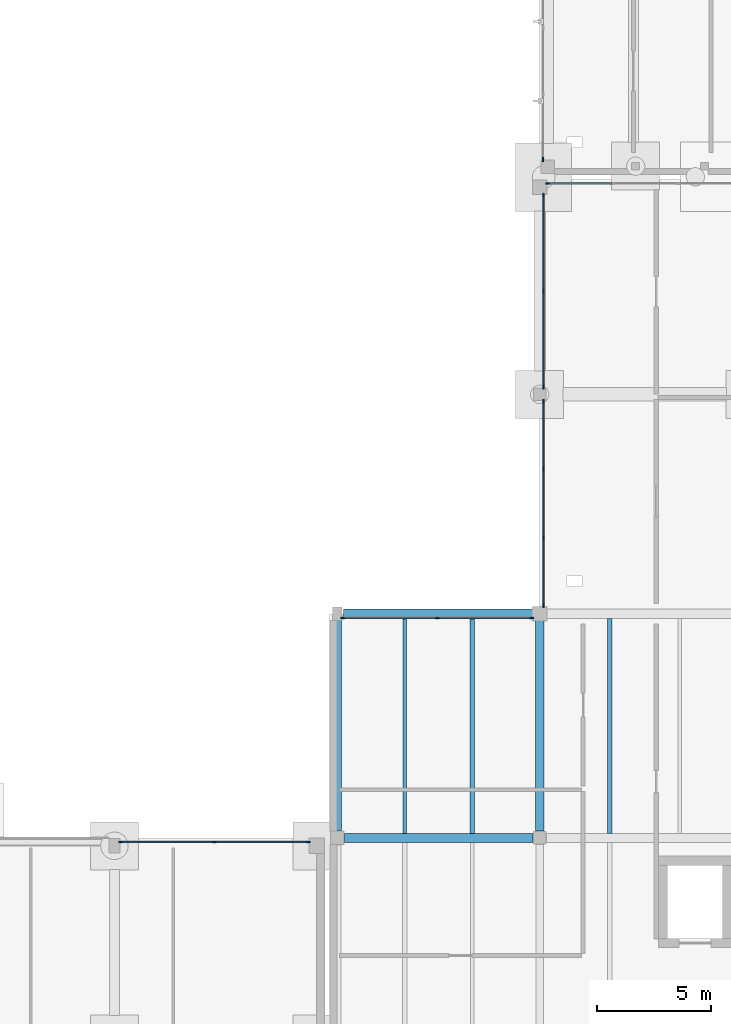
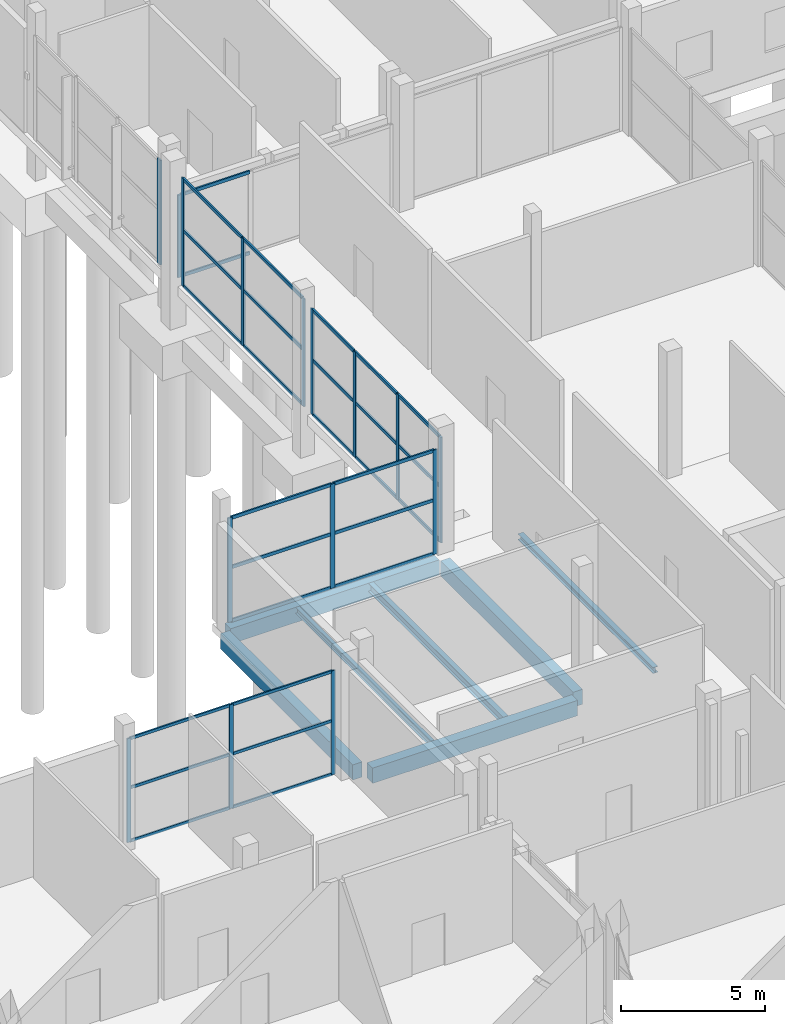
# One storey, part 31 of 88: 44 members, 7 beams, 6 elements without a shape of their own.
"""IFC4 building model written with IfcOpenShell, lengths in metres."""

from ifc_helpers import new_model, si_unit, direction, frame, origin, origin_2d, place, context, subcontext, project, spatial, rectangle, i_section, extrude, material, layer, layer_set, material_profile, profile_set, type_object, element, aggregate, save


model = new_model("IFC4")

# Units and contexts
model_context = context("Model", 3, precision=1e-05, world=origin(), true_north=direction((0.0, 1.0)))
body_context = subcontext(model_context, "Body", "Model", "MODEL_VIEW")
ifc_project = project(units=[si_unit("LENGTHUNIT", "METRE"), si_unit("AREAUNIT", "SQUARE_METRE"), si_unit("VOLUMEUNIT", "CUBIC_METRE"), si_unit("PLANEANGLEUNIT", "RADIAN"), si_unit("MASSUNIT", "GRAM", prefix="KILO")], contexts=[model_context])

# Site, building, storey
site_placement = place(None, origin())
site = spatial("IfcSite", under=ifc_project, at=site_placement, CompositionType="ELEMENT")
building_placement = place(site_placement, origin())
building = spatial("IfcBuilding", under=site, at=building_placement, Name="Birchvale Park Specialist Clinic", CompositionType="ELEMENT")
storey_placement = place(building_placement, origin())
storey = spatial("IfcBuildingStorey", under=building, at=storey_placement, Name="L00", CompositionType="ELEMENT", Elevation=0.0)

# Beams
ifc_material_1 = material(Name="Concrete C40/50", Category="concrete")
ifc_material_profile_1 = material_profile(ifc_material_1, rectangle(XDim=0.3798828125, YDim=0.639892578125, at=origin_2d()), Name="RCB-380x640")
ifc_profile_set_1 = profile_set([ifc_material_profile_1], Name="Concrete C40/50")
beam_type_1 = type_object("IfcBeamType", Name="BM-EXT-BG5", PredefinedType="BEAM", material=ifc_profile_set_1)
beam_1_placement = place(storey_placement, frame((119.14990234375, 34.9150390625, -0.6201171875), z_axis=(0.0, 1.0, 0.0), x_axis=(-1.0, 0.0, 0.0)))
element("IfcBeam", 1, at=beam_1_placement, inside=storey, type_object=beam_type_1, Name="V5 L00 Y girder 23", PredefinedType="BEAM", context=body_context, shape_type="SweptSolid", body=[
    extrude(rectangle(XDim=0.3798828125, YDim=0.639892578125, at=origin_2d()), origin(), (0.0, 0.0, 1.0), 9.219970703125),
])
beam_2_placement = place(storey_placement, frame((128.0, 34.89990234375, -0.6201171875), z_axis=(0.0, 1.0, 0.0), x_axis=(-1.0, 0.0, 0.0)))
element("IfcBeam", 2, at=beam_2_placement, inside=storey, type_object=beam_type_1, Name="V5 L00 Y girder 26", PredefinedType="BEAM", context=body_context, shape_type="SweptSolid", body=[
    extrude(rectangle(XDim=0.3798828125, YDim=0.639892578125, at=origin_2d()), origin(), (0.0, 0.0, 1.0), 9.22509765625),
])
ifc_material_profile_2 = material_profile(ifc_material_1, rectangle(XDim=0.39990234375, YDim=0.64990234375, at=origin_2d()), Name="RCB-400x650")
ifc_profile_set_2 = profile_set([ifc_material_profile_2], Name="Concrete C40/50")
beam_type_2 = type_object("IfcBeamType", Name="BM-INT-BG4", PredefinedType="BEAM", material=ifc_profile_set_2)
beam_3_placement = place(storey_placement, frame((119.465087890625, 34.60009765625, -0.625), z_axis=(1.0, 0.0, 0.0), x_axis=(0.0, 1.0, 0.0)))
element("IfcBeam", 3, at=beam_3_placement, inside=storey, type_object=beam_type_2, Name="V5 L00 X girder 11", PredefinedType="BEAM", context=body_context, shape_type="SweptSolid", body=[
    extrude(rectangle(XDim=0.39990234375, YDim=0.64990234375, at=origin_2d()), origin(), (0.0, 0.0, 1.0), 8.23486328125),
])
beam_4_placement = place(storey_placement, frame((119.4150390625, 44.39990234375, -0.625), z_axis=(1.0, 0.0, 0.0), x_axis=(0.0, 1.0, 0.0)))
element("IfcBeam", 4, at=beam_4_placement, inside=storey, type_object=beam_type_2, Name="V5 L00 X girder 16", PredefinedType="BEAM", context=body_context, shape_type="SweptSolid", body=[
    extrude(rectangle(XDim=0.39990234375, YDim=0.64990234375, at=origin_2d()), origin(), (0.0, 0.0, 1.0), 8.385009765625),
])

# Curtain wall, members
ifc_material_2 = material(Name="Thermally broken anodised aluminium", Category="aluminium")
ifc_layer_1 = layer(ifc_material_2, 0.179931640625)
ifc_layer_set_1 = layer_set([ifc_layer_1], Name="Thermally broken anodised aluminium")
curtain_wall_type_1 = type_object("IfcCurtainWallType", Name="CW-U1", PredefinedType="USERDEFINED", material=ifc_layer_set_1)
curtain_wall_1_placement = place(storey_placement, origin())
curtain_wall_1 = element("IfcCurtainWall", 5, at=curtain_wall_1_placement, inside=storey, type_object=curtain_wall_type_1, Name="V4 L00 glazed curtain wall 44", ObjectType="UNITISED", PredefinedType="USERDEFINED")
ifc_material_profile_3 = material_profile(ifc_material_2, rectangle(XDim=0.06005859375, YDim=0.159912109375, at=origin_2d()), Name="CWM-60x160")
ifc_profile_set_3 = profile_set([ifc_material_profile_3], Name="Thermally broken anodised aluminium")
member_type_1 = type_object("IfcMemberType", Name="CWM1", PredefinedType="MULLION", material=ifc_profile_set_3)
member_1_placement = place(storey_placement, frame((117.8798828125, 34.409912109375, 0.0), z_axis=(0.0, 0.0, 1.0), x_axis=(0.0, -1.0, 0.0)))
member_1 = element("IfcMember", 6, at=member_1_placement, type_object=member_type_1, Name="CW mullion 1", PredefinedType="MULLION", context=body_context, shape_type="SweptSolid", body=[
    extrude(rectangle(XDim=0.06005859375, YDim=0.159912109375, at=origin_2d()), origin(), (0.0, 0.0, 1.0), 4.4150390625),
])
member_2_placement = place(storey_placement, frame((113.7724609375, 34.409912109375, 0.0), z_axis=(0.0, 0.0, 1.0), x_axis=(0.0, -1.0, 0.0)))
member_2 = element("IfcMember", 7, at=member_2_placement, type_object=member_type_1, Name="CW mullion 2", PredefinedType="MULLION", context=body_context, shape_type="SweptSolid", body=[
    extrude(rectangle(XDim=0.06005859375, YDim=0.159912109375, at=origin_2d()), origin(), (0.0, 0.0, 1.0), 4.4150390625),
])
member_3_placement = place(storey_placement, frame((109.6650390625, 34.409912109375, 0.0), z_axis=(0.0, 0.0, 1.0), x_axis=(0.0, -1.0, 0.0)))
member_3 = element("IfcMember", 8, at=member_3_placement, type_object=member_type_1, Name="CW mullion 3", PredefinedType="MULLION", context=body_context, shape_type="SweptSolid", body=[
    extrude(rectangle(XDim=0.06005859375, YDim=0.159912109375, at=origin_2d()), origin(), (0.0, 0.0, 1.0), 4.4150390625),
])

ifc_layer_2 = layer(ifc_material_2, 0.195068359375)
ifc_layer_set_2 = layer_set([ifc_layer_2], Name="Thermally broken anodised aluminium")
curtain_wall_type_2 = type_object("IfcCurtainWallType", Name="CW-U2", PredefinedType="USERDEFINED", material=ifc_layer_set_2)
curtain_wall_2_placement = place(storey_placement, origin())
curtain_wall_2 = element("IfcCurtainWall", 9, at=curtain_wall_2_placement, inside=storey, type_object=curtain_wall_type_2, Name="V5 L00 glazed curtain wall 51", ObjectType="UNITISED", PredefinedType="USERDEFINED")
ifc_material_profile_4 = material_profile(ifc_material_2, rectangle(XDim=0.06494140625, YDim=0.179931640625, at=origin_2d()), Name="CWM-65x180")
ifc_profile_set_4 = profile_set([ifc_material_profile_4], Name="Thermally broken anodised aluminium")
member_type_2 = type_object("IfcMemberType", Name="CWM2", PredefinedType="MULLION", material=ifc_profile_set_4)
member_4_placement = place(storey_placement, frame((127.642578125, 44.22509765625, 0.0), z_axis=(0.0, 0.0, 1.0), x_axis=(0.0, -1.0, 0.0)))
member_4 = element("IfcMember", 10, at=member_4_placement, type_object=member_type_2, Name="CW mullion 1", PredefinedType="MULLION", context=body_context, shape_type="SweptSolid", body=[
    extrude(rectangle(XDim=0.06494140625, YDim=0.179931640625, at=origin_2d()), origin(), (0.0, 0.0, 1.0), 4.43505859375),
])
member_5_placement = place(storey_placement, frame((123.517578125, 44.22509765625, 0.0), z_axis=(0.0, 0.0, 1.0), x_axis=(0.0, -1.0, 0.0)))
member_5 = element("IfcMember", 11, at=member_5_placement, type_object=member_type_2, Name="CW mullion 2", PredefinedType="MULLION", context=body_context, shape_type="SweptSolid", body=[
    extrude(rectangle(XDim=0.06494140625, YDim=0.179931640625, at=origin_2d()), origin(), (0.0, 0.0, 1.0), 4.43505859375),
])
member_6_placement = place(storey_placement, frame((119.392578125, 44.22509765625, 0.0), z_axis=(0.0, 0.0, 1.0), x_axis=(0.0, -1.0, 0.0)))
member_6 = element("IfcMember", 12, at=member_6_placement, type_object=member_type_2, Name="CW mullion 3", PredefinedType="MULLION", context=body_context, shape_type="SweptSolid", body=[
    extrude(rectangle(XDim=0.06494140625, YDim=0.179931640625, at=origin_2d()), origin(), (0.0, 0.0, 1.0), 4.43505859375),
])

# Curtain wall, member
curtain_wall_3_placement = place(storey_placement, origin())
curtain_wall_3 = element("IfcCurtainWall", 13, at=curtain_wall_3_placement, inside=storey, type_object=curtain_wall_type_2, Name="V5 L00 glazed curtain wall 58", ObjectType="UNITISED", PredefinedType="USERDEFINED")
member_7_placement = place(storey_placement, frame((128.347412109375, 63.22509765625, 0.0), z_axis=(0.0, 0.0, 1.0), x_axis=(0.0, -1.0, 0.0)))
member_7 = element("IfcMember", 14, at=member_7_placement, type_object=member_type_2, Name="CW mullion 4", PredefinedType="MULLION", context=body_context, shape_type="SweptSolid", body=[
    extrude(rectangle(XDim=0.06494140625, YDim=0.179931640625, at=origin_2d()), origin(), (0.0, 0.0, 1.0), 3.508056640625),
])

# Curtain wall, members
curtain_wall_4_placement = place(storey_placement, origin())
curtain_wall_4 = element("IfcCurtainWall", 15, at=curtain_wall_4_placement, inside=storey, type_object=curtain_wall_type_2, Name="V5 L00 glazed curtain wall 59", ObjectType="UNITISED", PredefinedType="USERDEFINED")
member_8_placement = place(storey_placement, frame((128.175048828125, 62.702392578125, 0.0), z_axis=(0.0, 0.0, 1.0), x_axis=(1.0, 0.0, 0.0)))
member_8 = element("IfcMember", 16, at=member_8_placement, type_object=member_type_2, Name="CW mullion 1", PredefinedType="MULLION", context=body_context, shape_type="SweptSolid", body=[
    extrude(rectangle(XDim=0.06494140625, YDim=0.179931640625, at=origin_2d()), origin(), (0.0, 0.0, 1.0), 4.5849609375),
])
member_9_placement = place(storey_placement, frame((128.175048828125, 58.5048828125, 0.0), z_axis=(0.0, 0.0, 1.0), x_axis=(1.0, 0.0, 0.0)))
member_9 = element("IfcMember", 17, at=member_9_placement, type_object=member_type_2, Name="CW mullion 2", PredefinedType="MULLION", context=body_context, shape_type="SweptSolid", body=[
    extrude(rectangle(XDim=0.06494140625, YDim=0.179931640625, at=origin_2d()), origin(), (0.0, 0.0, 1.0), 4.5849609375),
])
member_10_placement = place(storey_placement, frame((128.175048828125, 54.3076171875, 0.0), z_axis=(0.0, 0.0, 1.0), x_axis=(1.0, 0.0, 0.0)))
member_10 = element("IfcMember", 18, at=member_10_placement, type_object=member_type_2, Name="CW mullion 3", PredefinedType="MULLION", context=body_context, shape_type="SweptSolid", body=[
    extrude(rectangle(XDim=0.06494140625, YDim=0.179931640625, at=origin_2d()), origin(), (0.0, 0.0, 1.0), 4.5849609375),
])

curtain_wall_5_placement = place(storey_placement, origin())
curtain_wall_5 = element("IfcCurtainWall", 19, at=curtain_wall_5_placement, inside=storey, type_object=curtain_wall_type_2, Name="V5 L00 glazed curtain wall 60", ObjectType="UNITISED", PredefinedType="USERDEFINED")
member_11_placement = place(storey_placement, frame((128.175048828125, 53.6923828125, 0.0), z_axis=(0.0, 0.0, 1.0), x_axis=(1.0, 0.0, 0.0)))
member_11 = element("IfcMember", 20, at=member_11_placement, type_object=member_type_2, Name="CW mullion 1", PredefinedType="MULLION", context=body_context, shape_type="SweptSolid", body=[
    extrude(rectangle(XDim=0.06494140625, YDim=0.179931640625, at=origin_2d()), origin(), (0.0, 0.0, 1.0), 4.485107421875),
])
member_12_placement = place(storey_placement, frame((128.175048828125, 50.72509765625, 0.0), z_axis=(0.0, 0.0, 1.0), x_axis=(1.0, 0.0, 0.0)))
member_12 = element("IfcMember", 21, at=member_12_placement, type_object=member_type_2, Name="CW mullion 2", PredefinedType="MULLION", context=body_context, shape_type="SweptSolid", body=[
    extrude(rectangle(XDim=0.06494140625, YDim=0.179931640625, at=origin_2d()), origin(), (0.0, 0.0, 1.0), 4.485107421875),
])
member_13_placement = place(storey_placement, frame((128.175048828125, 47.72509765625, 0.0), z_axis=(0.0, 0.0, 1.0), x_axis=(1.0, 0.0, 0.0)))
member_13 = element("IfcMember", 22, at=member_13_placement, type_object=member_type_2, Name="CW mullion 3", PredefinedType="MULLION", context=body_context, shape_type="SweptSolid", body=[
    extrude(rectangle(XDim=0.06494140625, YDim=0.179931640625, at=origin_2d()), origin(), (0.0, 0.0, 1.0), 4.485107421875),
])
member_14_placement = place(storey_placement, frame((128.175048828125, 44.757568359375, 0.0), z_axis=(0.0, 0.0, 1.0), x_axis=(1.0, 0.0, 0.0)))
member_14 = element("IfcMember", 23, at=member_14_placement, type_object=member_type_2, Name="CW mullion 4", PredefinedType="MULLION", context=body_context, shape_type="SweptSolid", body=[
    extrude(rectangle(XDim=0.06494140625, YDim=0.179931640625, at=origin_2d()), origin(), (0.0, 0.0, 1.0), 4.485107421875),
])

# Curtain wall, member
ifc_layer_3 = layer(ifc_material_2, 0.2099609375)
ifc_layer_set_3 = layer_set([ifc_layer_3], Name="Thermally broken anodised aluminium")
curtain_wall_type_3 = type_object("IfcCurtainWallType", Name="CW-U3", PredefinedType="USERDEFINED", material=ifc_layer_set_3)
curtain_wall_6_placement = place(storey_placement, origin())
curtain_wall_6 = element("IfcCurtainWall", 24, at=curtain_wall_6_placement, inside=storey, type_object=curtain_wall_type_3, Name="V6 L00 glazed curtain wall 67", ObjectType="UNITISED", PredefinedType="USERDEFINED")
ifc_material_profile_5 = material_profile(ifc_material_2, rectangle(XDim=0.070068359375, YDim=0.199951171875, at=origin_2d()), Name="CWM-70x200")
ifc_profile_set_5 = profile_set([ifc_material_profile_5], Name="Thermally broken anodised aluminium")
member_type_3 = type_object("IfcMemberType", Name="CWM3", PredefinedType="MULLION", material=ifc_profile_set_5)
member_15_placement = place(storey_placement, frame((128.14501953125, 64.27490234375, 0.0), z_axis=(0.0, 0.0, 1.0), x_axis=(1.0, 0.0, 0.0)))
member_15 = element("IfcMember", 25, at=member_15_placement, type_object=member_type_3, Name="CW mullion 4", PredefinedType="MULLION", context=body_context, shape_type="SweptSolid", body=[
    extrude(rectangle(XDim=0.070068359375, YDim=0.199951171875, at=origin_2d()), origin(), (0.0, 0.0, 1.0), 4.445068359375),
])
aggregate(curtain_wall_6, [member_15])

# Member
ifc_material_profile_6 = material_profile(ifc_material_2, rectangle(XDim=0.06005859375, YDim=0.1201171875, at=origin_2d()), Name="CWT-60x120")
ifc_profile_set_6 = profile_set([ifc_material_profile_6], Name="Thermally broken anodised aluminium")
member_type_4 = type_object("IfcMemberType", Name="CWT1", PredefinedType="USERDEFINED", material=ifc_profile_set_6)
member_16_placement = place(storey_placement, frame((117.85009765625, 34.409912109375, 0.030029296875), z_axis=(-1.0, 0.0, 0.0), x_axis=(0.0, -1.0, 0.0)))
member_16 = element("IfcMember", 26, at=member_16_placement, type_object=member_type_4, Name="CW transom 1.1", ObjectType="TRANSOM", PredefinedType="USERDEFINED", context=body_context, shape_type="SweptSolid", body=[
    extrude(rectangle(XDim=0.06005859375, YDim=0.1201171875, at=origin_2d()), origin(), (0.0, 0.0, 1.0), 4.047607421875),
])

member_17_placement = place(storey_placement, frame((117.85009765625, 34.409912109375, 2.2958984375), z_axis=(-1.0, 0.0, 0.0), x_axis=(0.0, -1.0, 0.0)))
member_17 = element("IfcMember", 27, at=member_17_placement, type_object=member_type_4, Name="CW transom 1.2", ObjectType="TRANSOM", PredefinedType="USERDEFINED", context=body_context, shape_type="SweptSolid", body=[
    extrude(rectangle(XDim=0.06005859375, YDim=0.1201171875, at=origin_2d()), origin(), (0.0, 0.0, 1.0), 4.047607421875),
])

member_18_placement = place(storey_placement, frame((117.85009765625, 34.409912109375, 4.385009765625), z_axis=(-1.0, 0.0, 0.0), x_axis=(0.0, -1.0, 0.0)))
member_18 = element("IfcMember", 28, at=member_18_placement, type_object=member_type_4, Name="CW transom 1.3", ObjectType="TRANSOM", PredefinedType="USERDEFINED", context=body_context, shape_type="SweptSolid", body=[
    extrude(rectangle(XDim=0.06005859375, YDim=0.1201171875, at=origin_2d()), origin(), (0.0, 0.0, 1.0), 4.047607421875),
])

member_19_placement = place(storey_placement, frame((113.742431640625, 34.409912109375, 0.030029296875), z_axis=(-1.0, 0.0, 0.0), x_axis=(0.0, -1.0, 0.0)))
member_19 = element("IfcMember", 29, at=member_19_placement, type_object=member_type_4, Name="CW transom 2.1", ObjectType="TRANSOM", PredefinedType="USERDEFINED", context=body_context, shape_type="SweptSolid", body=[
    extrude(rectangle(XDim=0.06005859375, YDim=0.1201171875, at=origin_2d()), origin(), (0.0, 0.0, 1.0), 4.04736328125),
])

member_20_placement = place(storey_placement, frame((113.742431640625, 34.409912109375, 2.2958984375), z_axis=(-1.0, 0.0, 0.0), x_axis=(0.0, -1.0, 0.0)))
member_20 = element("IfcMember", 30, at=member_20_placement, type_object=member_type_4, Name="CW transom 2.2", ObjectType="TRANSOM", PredefinedType="USERDEFINED", context=body_context, shape_type="SweptSolid", body=[
    extrude(rectangle(XDim=0.06005859375, YDim=0.1201171875, at=origin_2d()), origin(), (0.0, 0.0, 1.0), 4.04736328125),
])

member_21_placement = place(storey_placement, frame((113.742431640625, 34.409912109375, 4.385009765625), z_axis=(-1.0, 0.0, 0.0), x_axis=(0.0, -1.0, 0.0)))
member_21 = element("IfcMember", 31, at=member_21_placement, type_object=member_type_4, Name="CW transom 2.3", ObjectType="TRANSOM", PredefinedType="USERDEFINED", context=body_context, shape_type="SweptSolid", body=[
    extrude(rectangle(XDim=0.06005859375, YDim=0.1201171875, at=origin_2d()), origin(), (0.0, 0.0, 1.0), 4.04736328125),
])

aggregate(curtain_wall_1, [member_1, member_2, member_3, member_16, member_17, member_18, member_19, member_20, member_21])

ifc_material_profile_7 = material_profile(ifc_material_2, rectangle(XDim=0.06494140625, YDim=0.139892578125, at=origin_2d()), Name="CWT-65x140")
ifc_profile_set_7 = profile_set([ifc_material_profile_7], Name="Thermally broken anodised aluminium")
member_type_5 = type_object("IfcMemberType", Name="CWT2", PredefinedType="USERDEFINED", material=ifc_profile_set_7)
member_22_placement = place(storey_placement, frame((127.610107421875, 44.22509765625, 0.032470703125), z_axis=(-1.0, 0.0, 0.0), x_axis=(0.0, -1.0, 0.0)))
member_22 = element("IfcMember", 32, at=member_22_placement, type_object=member_type_5, Name="CW transom 1.1", ObjectType="TRANSOM", PredefinedType="USERDEFINED", context=body_context, shape_type="SweptSolid", body=[
    extrude(rectangle(XDim=0.06494140625, YDim=0.139892578125, at=origin_2d()), origin(), (0.0, 0.0, 1.0), 4.06005859375),
])

member_23_placement = place(storey_placement, frame((127.610107421875, 44.22509765625, 2.30615234375), z_axis=(-1.0, 0.0, 0.0), x_axis=(0.0, -1.0, 0.0)))
member_23 = element("IfcMember", 33, at=member_23_placement, type_object=member_type_5, Name="CW transom 1.2", ObjectType="TRANSOM", PredefinedType="USERDEFINED", context=body_context, shape_type="SweptSolid", body=[
    extrude(rectangle(XDim=0.06494140625, YDim=0.139892578125, at=origin_2d()), origin(), (0.0, 0.0, 1.0), 4.06005859375),
])

member_24_placement = place(storey_placement, frame((127.610107421875, 44.22509765625, 4.402587890625), z_axis=(-1.0, 0.0, 0.0), x_axis=(0.0, -1.0, 0.0)))
member_24 = element("IfcMember", 34, at=member_24_placement, type_object=member_type_5, Name="CW transom 1.3", ObjectType="TRANSOM", PredefinedType="USERDEFINED", context=body_context, shape_type="SweptSolid", body=[
    extrude(rectangle(XDim=0.06494140625, YDim=0.139892578125, at=origin_2d()), origin(), (0.0, 0.0, 1.0), 4.06005859375),
])

member_25_placement = place(storey_placement, frame((123.485107421875, 44.22509765625, 0.032470703125), z_axis=(-1.0, 0.0, 0.0), x_axis=(0.0, -1.0, 0.0)))
member_25 = element("IfcMember", 35, at=member_25_placement, type_object=member_type_5, Name="CW transom 2.1", ObjectType="TRANSOM", PredefinedType="USERDEFINED", context=body_context, shape_type="SweptSolid", body=[
    extrude(rectangle(XDim=0.06494140625, YDim=0.139892578125, at=origin_2d()), origin(), (0.0, 0.0, 1.0), 4.06005859375),
])

member_26_placement = place(storey_placement, frame((123.485107421875, 44.22509765625, 2.30615234375), z_axis=(-1.0, 0.0, 0.0), x_axis=(0.0, -1.0, 0.0)))
member_26 = element("IfcMember", 36, at=member_26_placement, type_object=member_type_5, Name="CW transom 2.2", ObjectType="TRANSOM", PredefinedType="USERDEFINED", context=body_context, shape_type="SweptSolid", body=[
    extrude(rectangle(XDim=0.06494140625, YDim=0.139892578125, at=origin_2d()), origin(), (0.0, 0.0, 1.0), 4.06005859375),
])

member_27_placement = place(storey_placement, frame((123.485107421875, 44.22509765625, 4.402587890625), z_axis=(-1.0, 0.0, 0.0), x_axis=(0.0, -1.0, 0.0)))
member_27 = element("IfcMember", 37, at=member_27_placement, type_object=member_type_5, Name="CW transom 2.3", ObjectType="TRANSOM", PredefinedType="USERDEFINED", context=body_context, shape_type="SweptSolid", body=[
    extrude(rectangle(XDim=0.06494140625, YDim=0.139892578125, at=origin_2d()), origin(), (0.0, 0.0, 1.0), 4.06005859375),
])

aggregate(curtain_wall_2, [member_4, member_5, member_6, member_22, member_23, member_24, member_25, member_26, member_27])

member_28_placement = place(storey_placement, frame((131.1474609375, 63.22509765625, 0.032470703125), z_axis=(-1.0, 0.0, 0.0), x_axis=(0.0, -1.0, 0.0)))
member_28 = element("IfcMember", 38, at=member_28_placement, type_object=member_type_5, Name="CW transom 3.1", ObjectType="TRANSOM", PredefinedType="USERDEFINED", context=body_context, shape_type="SweptSolid", body=[
    extrude(rectangle(XDim=0.06494140625, YDim=0.139892578125, at=origin_2d()), origin(), (0.0, 0.0, 1.0), 2.767578125),
])

member_29_placement = place(storey_placement, frame((131.1474609375, 63.22509765625, 3.4755859375), z_axis=(-1.0, 0.0, 0.0), x_axis=(0.0, -1.0, 0.0)))
member_29 = element("IfcMember", 39, at=member_29_placement, type_object=member_type_5, Name="CW transom 3.2", ObjectType="TRANSOM", PredefinedType="USERDEFINED", context=body_context, shape_type="SweptSolid", body=[
    extrude(rectangle(XDim=0.06494140625, YDim=0.139892578125, at=origin_2d()), origin(), (0.0, 0.0, 1.0), 2.767578125),
])

aggregate(curtain_wall_3, [member_7, member_28, member_29])

member_30_placement = place(storey_placement, frame((128.175048828125, 62.669921875, 0.032470703125), z_axis=(0.0, -1.0, 0.0), x_axis=(1.0, 0.0, 0.0)))
member_30 = element("IfcMember", 40, at=member_30_placement, type_object=member_type_5, Name="CW transom 1.1", ObjectType="TRANSOM", PredefinedType="USERDEFINED", context=body_context, shape_type="SweptSolid", body=[
    extrude(rectangle(XDim=0.06494140625, YDim=0.139892578125, at=origin_2d()), origin(), (0.0, 0.0, 1.0), 4.13232421875),
])

member_31_placement = place(storey_placement, frame((128.175048828125, 62.669921875, 2.38427734375), z_axis=(0.0, -1.0, 0.0), x_axis=(1.0, 0.0, 0.0)))
member_31 = element("IfcMember", 41, at=member_31_placement, type_object=member_type_5, Name="CW transom 1.2", ObjectType="TRANSOM", PredefinedType="USERDEFINED", context=body_context, shape_type="SweptSolid", body=[
    extrude(rectangle(XDim=0.06494140625, YDim=0.139892578125, at=origin_2d()), origin(), (0.0, 0.0, 1.0), 4.13232421875),
])

member_32_placement = place(storey_placement, frame((128.175048828125, 62.669921875, 4.552490234375), z_axis=(0.0, -1.0, 0.0), x_axis=(1.0, 0.0, 0.0)))
member_32 = element("IfcMember", 42, at=member_32_placement, type_object=member_type_5, Name="CW transom 1.3", ObjectType="TRANSOM", PredefinedType="USERDEFINED", context=body_context, shape_type="SweptSolid", body=[
    extrude(rectangle(XDim=0.06494140625, YDim=0.139892578125, at=origin_2d()), origin(), (0.0, 0.0, 1.0), 4.13232421875),
])

member_33_placement = place(storey_placement, frame((128.175048828125, 58.472412109375, 0.032470703125), z_axis=(0.0, -1.0, 0.0), x_axis=(1.0, 0.0, 0.0)))
member_33 = element("IfcMember", 43, at=member_33_placement, type_object=member_type_5, Name="CW transom 2.1", ObjectType="TRANSOM", PredefinedType="USERDEFINED", context=body_context, shape_type="SweptSolid", body=[
    extrude(rectangle(XDim=0.06494140625, YDim=0.139892578125, at=origin_2d()), origin(), (0.0, 0.0, 1.0), 4.13232421875),
])

member_34_placement = place(storey_placement, frame((128.175048828125, 58.472412109375, 2.38427734375), z_axis=(0.0, -1.0, 0.0), x_axis=(1.0, 0.0, 0.0)))
member_34 = element("IfcMember", 44, at=member_34_placement, type_object=member_type_5, Name="CW transom 2.2", ObjectType="TRANSOM", PredefinedType="USERDEFINED", context=body_context, shape_type="SweptSolid", body=[
    extrude(rectangle(XDim=0.06494140625, YDim=0.139892578125, at=origin_2d()), origin(), (0.0, 0.0, 1.0), 4.13232421875),
])

member_35_placement = place(storey_placement, frame((128.175048828125, 58.472412109375, 4.552490234375), z_axis=(0.0, -1.0, 0.0), x_axis=(1.0, 0.0, 0.0)))
member_35 = element("IfcMember", 45, at=member_35_placement, type_object=member_type_5, Name="CW transom 2.3", ObjectType="TRANSOM", PredefinedType="USERDEFINED", context=body_context, shape_type="SweptSolid", body=[
    extrude(rectangle(XDim=0.06494140625, YDim=0.139892578125, at=origin_2d()), origin(), (0.0, 0.0, 1.0), 4.13232421875),
])

aggregate(curtain_wall_4, [member_8, member_9, member_10, member_30, member_31, member_32, member_33, member_34, member_35])

member_36_placement = place(storey_placement, frame((128.175048828125, 53.659912109375, 0.032470703125), z_axis=(0.0, -1.0, 0.0), x_axis=(1.0, 0.0, 0.0)))
member_36 = element("IfcMember", 46, at=member_36_placement, type_object=member_type_5, Name="CW transom 1.1", ObjectType="TRANSOM", PredefinedType="USERDEFINED", context=body_context, shape_type="SweptSolid", body=[
    extrude(rectangle(XDim=0.06494140625, YDim=0.139892578125, at=origin_2d()), origin(), (0.0, 0.0, 1.0), 2.90234375),
])

member_37_placement = place(storey_placement, frame((128.175048828125, 53.659912109375, 2.332275390625), z_axis=(0.0, -1.0, 0.0), x_axis=(1.0, 0.0, 0.0)))
member_37 = element("IfcMember", 47, at=member_37_placement, type_object=member_type_5, Name="CW transom 1.2", ObjectType="TRANSOM", PredefinedType="USERDEFINED", context=body_context, shape_type="SweptSolid", body=[
    extrude(rectangle(XDim=0.06494140625, YDim=0.139892578125, at=origin_2d()), origin(), (0.0, 0.0, 1.0), 2.90234375),
])

member_38_placement = place(storey_placement, frame((128.175048828125, 53.659912109375, 4.452392578125), z_axis=(0.0, -1.0, 0.0), x_axis=(1.0, 0.0, 0.0)))
member_38 = element("IfcMember", 48, at=member_38_placement, type_object=member_type_5, Name="CW transom 1.3", ObjectType="TRANSOM", PredefinedType="USERDEFINED", context=body_context, shape_type="SweptSolid", body=[
    extrude(rectangle(XDim=0.06494140625, YDim=0.139892578125, at=origin_2d()), origin(), (0.0, 0.0, 1.0), 2.90234375),
])

member_39_placement = place(storey_placement, frame((128.175048828125, 50.6923828125, 0.032470703125), z_axis=(0.0, -1.0, 0.0), x_axis=(1.0, 0.0, 0.0)))
member_39 = element("IfcMember", 49, at=member_39_placement, type_object=member_type_5, Name="CW transom 2.1", ObjectType="TRANSOM", PredefinedType="USERDEFINED", context=body_context, shape_type="SweptSolid", body=[
    extrude(rectangle(XDim=0.06494140625, YDim=0.139892578125, at=origin_2d()), origin(), (0.0, 0.0, 1.0), 2.934814453125),
])

member_40_placement = place(storey_placement, frame((128.175048828125, 50.6923828125, 2.332275390625), z_axis=(0.0, -1.0, 0.0), x_axis=(1.0, 0.0, 0.0)))
member_40 = element("IfcMember", 50, at=member_40_placement, type_object=member_type_5, Name="CW transom 2.2", ObjectType="TRANSOM", PredefinedType="USERDEFINED", context=body_context, shape_type="SweptSolid", body=[
    extrude(rectangle(XDim=0.06494140625, YDim=0.139892578125, at=origin_2d()), origin(), (0.0, 0.0, 1.0), 2.934814453125),
])

member_41_placement = place(storey_placement, frame((128.175048828125, 50.6923828125, 4.452392578125), z_axis=(0.0, -1.0, 0.0), x_axis=(1.0, 0.0, 0.0)))
member_41 = element("IfcMember", 51, at=member_41_placement, type_object=member_type_5, Name="CW transom 2.3", ObjectType="TRANSOM", PredefinedType="USERDEFINED", context=body_context, shape_type="SweptSolid", body=[
    extrude(rectangle(XDim=0.06494140625, YDim=0.139892578125, at=origin_2d()), origin(), (0.0, 0.0, 1.0), 2.934814453125),
])

member_42_placement = place(storey_placement, frame((128.175048828125, 47.6923828125, 0.032470703125), z_axis=(0.0, -1.0, 0.0), x_axis=(1.0, 0.0, 0.0)))
member_42 = element("IfcMember", 52, at=member_42_placement, type_object=member_type_5, Name="CW transom 3.1", ObjectType="TRANSOM", PredefinedType="USERDEFINED", context=body_context, shape_type="SweptSolid", body=[
    extrude(rectangle(XDim=0.06494140625, YDim=0.139892578125, at=origin_2d()), origin(), (0.0, 0.0, 1.0), 2.90234375),
])

member_43_placement = place(storey_placement, frame((128.175048828125, 47.6923828125, 2.332275390625), z_axis=(0.0, -1.0, 0.0), x_axis=(1.0, 0.0, 0.0)))
member_43 = element("IfcMember", 53, at=member_43_placement, type_object=member_type_5, Name="CW transom 3.2", ObjectType="TRANSOM", PredefinedType="USERDEFINED", context=body_context, shape_type="SweptSolid", body=[
    extrude(rectangle(XDim=0.06494140625, YDim=0.139892578125, at=origin_2d()), origin(), (0.0, 0.0, 1.0), 2.90234375),
])

member_44_placement = place(storey_placement, frame((128.175048828125, 47.6923828125, 4.452392578125), z_axis=(0.0, -1.0, 0.0), x_axis=(1.0, 0.0, 0.0)))
member_44 = element("IfcMember", 54, at=member_44_placement, type_object=member_type_5, Name="CW transom 3.3", ObjectType="TRANSOM", PredefinedType="USERDEFINED", context=body_context, shape_type="SweptSolid", body=[
    extrude(rectangle(XDim=0.06494140625, YDim=0.139892578125, at=origin_2d()), origin(), (0.0, 0.0, 1.0), 2.90234375),
])

aggregate(curtain_wall_5, [member_11, member_12, member_13, member_14, member_36, member_37, member_38, member_39, member_40, member_41, member_42, member_43, member_44])

# Beams
ifc_material_3 = material(Name="Steel ASTM A992 Grade 50", Category="steel")
ifc_material_profile_8 = material_profile(ifc_material_3, i_section(OverallWidth=0.2041015625, OverallDepth=0.35107421875, WebThickness=0.008544921875, FlangeThickness=0.01513671875, at=origin_2d()), Name="W14X48")
ifc_profile_set_8 = profile_set([ifc_material_profile_8], Name="Steel ASTM A992 Grade 50")
beam_type_3 = type_object("IfcBeamType", Name="STL-INT-SJ1", PredefinedType="JOIST", material=ifc_profile_set_8)
beam_5_placement = place(storey_placement, frame((125.050048828125, 34.800048828125, -0.4755859375), z_axis=(0.0, 1.0, 0.0), x_axis=(-1.0, 0.0, 0.0)))
element("IfcBeam", 55, at=beam_5_placement, inside=storey, type_object=beam_type_3, Name="V5 L00 secondary floor joist 6", PredefinedType="JOIST", context=body_context, shape_type="SweptSolid", body=[
    extrude(i_section(OverallWidth=0.2041015625, OverallDepth=0.35107421875, WebThickness=0.008544921875, FlangeThickness=0.01513671875, at=origin_2d()), origin(), (0.0, 0.0, 1.0), 9.39990234375),
])
ifc_material_profile_9 = material_profile(ifc_material_3, i_section(OverallWidth=0.202880859375, OverallDepth=0.251953125, WebThickness=0.008056640625, FlangeThickness=0.013427734375, at=origin_2d()), Name="W10X39")
ifc_profile_set_9 = profile_set([ifc_material_profile_9], Name="Steel ASTM A992 Grade 50")
beam_type_4 = type_object("IfcBeamType", Name="STL-INT-SJ4", PredefinedType="JOIST", material=ifc_profile_set_9)
beam_6_placement = place(storey_placement, frame((131.066650390625, 34.800048828125, -0.426025390625), z_axis=(0.0, 1.0, 0.0), x_axis=(-1.0, 0.0, 0.0)))
element("IfcBeam", 56, at=beam_6_placement, inside=storey, type_object=beam_type_4, Name="V5 L00 secondary floor joist 9", PredefinedType="JOIST", context=body_context, shape_type="SweptSolid", body=[
    extrude(i_section(OverallWidth=0.202880859375, OverallDepth=0.251953125, WebThickness=0.008056640625, FlangeThickness=0.013427734375, at=origin_2d()), origin(), (0.0, 0.0, 1.0), 9.39990234375),
])
ifc_material_profile_10 = material_profile(ifc_material_3, i_section(OverallWidth=0.14697265625, OverallDepth=0.261962890625, WebThickness=0.006591796875, FlangeThickness=0.01123046875, at=origin_2d()), Name="W10X26")
ifc_profile_set_10 = profile_set([ifc_material_profile_10], Name="Steel ASTM A992 Grade 50")
beam_type_5 = type_object("IfcBeamType", Name="STL-INT-SJ5", PredefinedType="JOIST", material=ifc_profile_set_10)
beam_7_placement = place(storey_placement, frame((122.10009765625, 34.800048828125, -0.430908203125), z_axis=(0.0, 1.0, 0.0), x_axis=(-1.0, 0.0, 0.0)))
element("IfcBeam", 57, at=beam_7_placement, inside=storey, type_object=beam_type_5, Name="V5 L00 secondary floor joist 5", PredefinedType="JOIST", context=body_context, shape_type="SweptSolid", body=[
    extrude(i_section(OverallWidth=0.14697265625, OverallDepth=0.261962890625, WebThickness=0.006591796875, FlangeThickness=0.01123046875, at=origin_2d()), origin(), (0.0, 0.0, 1.0), 9.39990234375),
])

save(model, "model.ifc")
